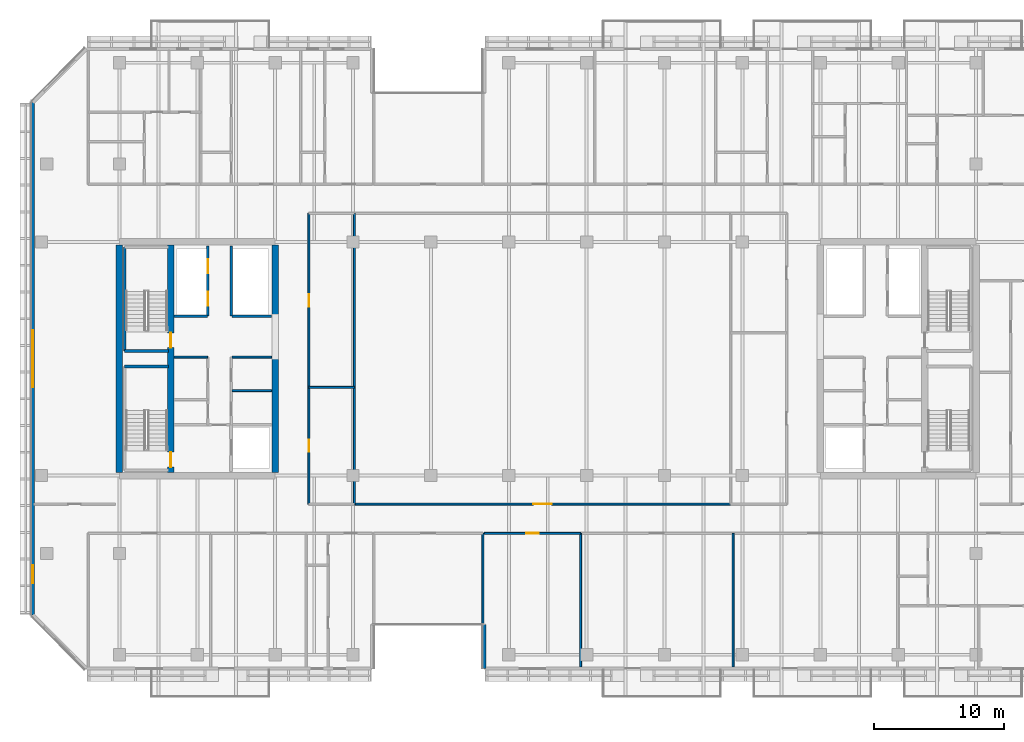
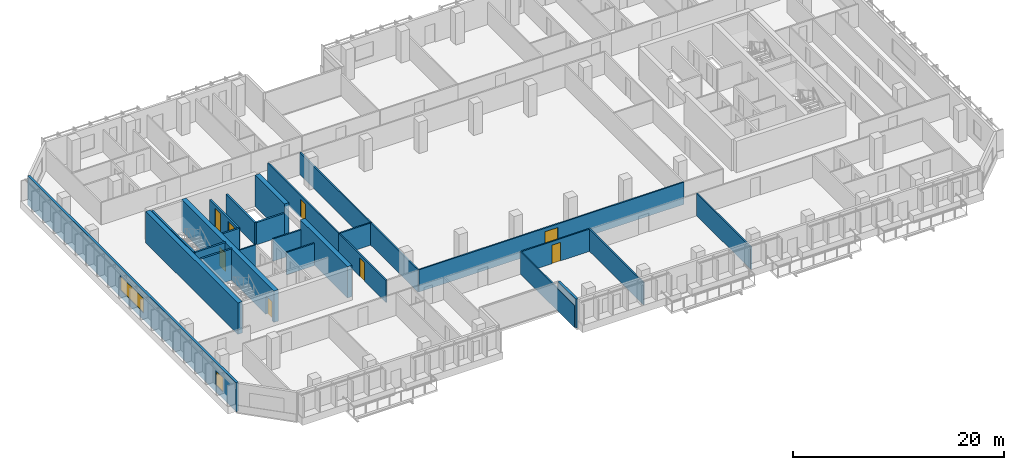
# One storey, part 11 of 23: 25 walls, 8 doors, 2 windows, 10 openings.
"""IFC4 building model written with IfcOpenShell, lengths in metres."""

from ifc_helpers import new_model, si_unit, direction, frame, frame_2d, origin, place, context, subcontext, project, spatial, rectangle, extrude, material, layer, layer_set, type_object, element, fill, save


model = new_model("IFC4")

# Units and contexts
model_context = context("Model", 3, precision=1e-05, world=origin(), true_north=direction((0.0, 1.0)))
body_context = subcontext(model_context, "Body", "Model", "MODEL_VIEW")
ifc_project = project(units=[si_unit("LENGTHUNIT", "METRE"), si_unit("AREAUNIT", "SQUARE_METRE"), si_unit("VOLUMEUNIT", "CUBIC_METRE"), si_unit("PLANEANGLEUNIT", "RADIAN"), si_unit("MASSUNIT", "GRAM", prefix="KILO")], contexts=[model_context])

# Site, building, storey
site_placement = place(None, origin())
site = spatial("IfcSite", under=ifc_project, at=site_placement, CompositionType="ELEMENT")
building_placement = place(site_placement, origin())
building = spatial("IfcBuilding", under=site, at=building_placement, Name="Tanjung Sevakor Pilgrim Tower", CompositionType="ELEMENT")
storey_placement = place(building_placement, frame((0.0, 0.0, 119.4599609375)))
storey = spatial("IfcBuildingStorey", under=building, at=storey_placement, Name="L33", CompositionType="ELEMENT", Elevation=119.4599609375)

# Walls
ifc_material_1 = material(Name="Concrete C60/75", Category="concrete")
ifc_layer_1 = layer(ifc_material_1, 0.5)
ifc_layer_set_1 = layer_set([ifc_layer_1], Name="WALL-CW-500")
wall_type_1 = type_object("IfcWallType", Name="WALL-CW-500", PredefinedType="SHEAR", material=ifc_layer_set_1)
wall_1_placement = place(storey_placement, frame((24.0, 24.85009765625, 0.0), z_axis=(0.0, 0.0, 1.0), x_axis=(0.0, 1.0, 0.0)))
element("IfcWall", 1, at=wall_1_placement, inside=storey, type_object=wall_type_1, Name="L33 W Core Outer Shear Wall", PredefinedType="SHEAR", context=body_context, shape_type="SweptSolid", body=[
    extrude(rectangle(XDim=17.5, YDim=0.5, at=frame_2d((8.75, 0.0))), origin(), (0.0, 0.0, 1.0), 3.630126953125),
])
wall_2_placement = place(storey_placement, frame((36.0, 24.85009765625, 0.0), z_axis=(0.0, 0.0, 1.0), x_axis=(0.0, 1.0, 0.0)))
element("IfcWall", 2, at=wall_2_placement, inside=storey, type_object=wall_type_1, Name="L33 W Core Inner Shear Wall South", PredefinedType="SHEAR", context=body_context, shape_type="SweptSolid", body=[
    extrude(rectangle(XDim=8.949951171875, YDim=0.5, at=frame_2d((4.47509765625, 0.0))), origin(), (0.0, 0.0, 1.0), 3.630126953125),
])
wall_3_placement = place(storey_placement, frame((36.0, 36.800048828125, 0.0), z_axis=(0.0, 0.0, 1.0), x_axis=(0.0, 1.0, 0.0)))
element("IfcWall", 3, at=wall_3_placement, inside=storey, type_object=wall_type_1, Name="L33 W Core Inner Shear Wall North", PredefinedType="SHEAR", context=body_context, shape_type="SweptSolid", body=[
    extrude(rectangle(XDim=5.550048828125, YDim=0.5, at=frame_2d((2.77490234375, 0.0))), origin(), (0.0, 0.0, 1.0), 3.630126953125),
])

# Wall, openings, doors
wall_4_placement = place(storey_placement, frame((27.949951171875, 24.85009765625, 0.0), z_axis=(0.0, 0.0, 1.0), x_axis=(0.0, 1.0, 0.0)))
wall_4 = element("IfcWall", 4, at=wall_4_placement, inside=storey, type_object=wall_type_1, Name="L33 W Core Stair Spine Wall", PredefinedType="SHEAR", context=body_context, shape_type="SweptSolid", body=[
    extrude(rectangle(XDim=17.5, YDim=0.5, at=frame_2d((8.75, 0.0))), origin(), (0.0, 0.0, 1.0), 3.630126953125),
])
opening_1_placement = place(wall_4_placement, frame((0.39990234375, 0.0, 0.0)))
opening_1 = element("IfcOpeningElement", 5, at=opening_1_placement, cuts=wall_4, Name="Opening ID-ST1", PredefinedType="OPENING", context=body_context, shape_type="SweptSolid", body=[
    extrude(rectangle(XDim=1.14990234375, YDim=2.14990234375, at=frame_2d((0.574951171875, 1.074951171875))), frame((0.0, 0.260009765625, 0.0), z_axis=(0.0, -1.0, 0.0), x_axis=(1.0, 0.0, 0.0)), (0.0, 0.0, 1.0), 0.52001953125),
])
opening_2_placement = place(wall_4_placement, frame((9.60009765625, 0.0, 0.0)))
opening_2 = element("IfcOpeningElement", 6, at=opening_2_placement, cuts=wall_4, Name="Opening ID-ST1", PredefinedType="OPENING", context=body_context, shape_type="SweptSolid", body=[
    extrude(rectangle(XDim=1.14990234375, YDim=2.14990234375, at=frame_2d((0.574951171875, 1.074951171875))), frame((0.0, 0.260009765625, 0.0), z_axis=(0.0, -1.0, 0.0), x_axis=(1.0, 0.0, 0.0)), (0.0, 0.0, 1.0), 0.52001953125),
])
ifc_material_2 = material(Name="Fire-Rated Steel S355J2", Category="steel")
door_type_1 = type_object("IfcDoorType", Name="DT-FIRE-1150", OperationType="NOTDEFINED", PredefinedType="DOOR", material=ifc_material_2)
door_1_placement = place(opening_1_placement, origin())
door_1 = element("IfcDoor", 7, at=door_1_placement, inside=storey, type_object=door_type_1, Name="L33 TS-W1 Stair Fire Door", OperationType="SINGLE_SWING_RIGHT", OverallHeight=2.14990234375, OverallWidth=1.14990234375, PredefinedType="DOOR", context=body_context, shape_type="SweptSolid", body=[
    extrude(rectangle(XDim=1.14990234375, YDim=2.14990234375, at=frame_2d((0.574951171875, 1.074951171875))), frame((0.0, 0.02490234375, 0.0), z_axis=(0.0, -1.0, 0.0), x_axis=(1.0, 0.0, 0.0)), (0.0, 0.0, 1.0), 0.050048828125),
])
fill(opening_1, door_1)
door_2_placement = place(opening_2_placement, origin())
door_2 = element("IfcDoor", 8, at=door_2_placement, inside=storey, type_object=door_type_1, Name="L33 TS-W2 Stair Fire Door", OperationType="SINGLE_SWING_LEFT", OverallHeight=2.14990234375, OverallWidth=1.14990234375, PredefinedType="DOOR", context=body_context, shape_type="SweptSolid", body=[
    extrude(rectangle(XDim=1.14990234375, YDim=2.14990234375, at=frame_2d((0.574951171875, 1.074951171875))), frame((0.0, 0.02490234375, 0.0), z_axis=(0.0, -1.0, 0.0), x_axis=(1.0, 0.0, 0.0)), (0.0, 0.0, 1.0), 0.050048828125),
])
fill(opening_2, door_2)

# Walls
ifc_material_3 = material(Name="Concrete C40/50", Category="concrete")
ifc_layer_2 = layer(ifc_material_3, 0.14990234375)
ifc_layer_set_2 = layer_set([ifc_layer_2], Name="WT-COMP-150")
wall_type_2 = type_object("IfcWallType", Name="WT-COMP-150", PredefinedType="SOLIDWALL", material=ifc_layer_set_2)
wall_5_placement = place(storey_placement, frame((28.219970703125, 33.719970703125, 0.0), z_axis=(0.0, 0.0, 1.0), x_axis=(1.0, 0.0, 0.0)))
element("IfcWall", 9, at=wall_5_placement, inside=storey, type_object=wall_type_2, Name="L33 Partition IW-L33-004", PredefinedType="SOLIDWALL", context=body_context, shape_type="SweptSolid", body=[
    extrude(rectangle(XDim=2.580078125, YDim=0.14990234375, at=frame_2d((1.2900390625, 0.0))), origin(), (0.0, 0.0, 1.0), 2.570068359375),
])
for number, where, z_axis, x_axis, name in (
    (10, (32.679931640625, 31.14990234375, 0.0), (0.0, 0.0, 1.0), (1.0, 0.0, 0.0), "L33 Partition IW-L33-006"),
    (11, (32.679931640625, 33.719970703125, 0.0), (0.0, 0.0, 1.0), (1.0, 0.0, 0.0), "L33 Partition IW-L33-007"),
):
    element("IfcWall", number, at=place(storey_placement, frame(where, z_axis=z_axis, x_axis=x_axis)), inside=storey, type_object=wall_type_2, Name=name, PredefinedType="SOLIDWALL", context=body_context, shape_type="SweptSolid", body=[
        extrude(rectangle(XDim=3.050048828125, YDim=0.14990234375, at=frame_2d((1.52490234375, 0.0))), origin(), (0.0, 0.0, 1.0), 2.570068359375),
    ])
wall_6_placement = place(storey_placement, frame((38.60009765625, 31.39990234375, 0.0), z_axis=(0.0, 0.0, 1.0), x_axis=(1.0, 0.0, 0.0)))
element("IfcWall", 12, at=wall_6_placement, inside=storey, type_object=wall_type_2, Name="L33 Partition IW-L33-026", PredefinedType="SOLIDWALL", context=body_context, shape_type="SweptSolid", body=[
    extrude(rectangle(XDim=3.5, YDim=0.14990234375, at=frame_2d((1.75, 0.0))), origin(), (0.0, 0.0, 1.0), 2.570068359375),
])

# Wall, opening, door
wall_7_placement = place(storey_placement, frame((38.60009765625, 22.39990234375, 0.0), z_axis=(0.0, 0.0, 1.0), x_axis=(0.0, 1.0, 0.0)))
wall_7 = element("IfcWall", 13, at=wall_7_placement, inside=storey, type_object=wall_type_2, Name="L33 Partition IW-L33-027", PredefinedType="SOLIDWALL", context=body_context, shape_type="SweptSolid", body=[
    extrude(rectangle(XDim=9.0, YDim=0.14990234375, at=frame_2d((4.5, 0.0))), origin(), (0.0, 0.0, 1.0), 2.570068359375),
])
opening_3_placement = place(wall_7_placement, frame((4.02490234375, 0.0, 0.0)))
opening_3 = element("IfcOpeningElement", 14, at=opening_3_placement, cuts=wall_7, Name="Opening ID-RM1", PredefinedType="OPENING", context=body_context, shape_type="SweptSolid", body=[
    extrude(rectangle(XDim=0.949951171875, YDim=2.14990234375, at=frame_2d((0.47509765625, 1.074951171875))), frame((0.0, 0.0849609375, 0.0), z_axis=(0.0, -1.0, 0.0), x_axis=(1.0, 0.0, 0.0)), (0.0, 0.0, 1.0), 0.169921875),
])
ifc_material_4 = material(Name="Hardwood Timber", Category="wood")
door_type_2 = type_object("IfcDoorType", Name="DT-INT-950", OperationType="NOTDEFINED", PredefinedType="DOOR", material=ifc_material_4)
door_3_placement = place(opening_3_placement, origin())
door_3 = element("IfcDoor", 15, at=door_3_placement, inside=storey, type_object=door_type_2, Name="L33 Male Ablution Door", OperationType="SINGLE_SWING_LEFT", OverallHeight=2.14990234375, OverallWidth=0.949951171875, PredefinedType="DOOR", context=body_context, shape_type="SweptSolid", body=[
    extrude(rectangle(XDim=0.949951171875, YDim=2.14990234375, at=frame_2d((0.47509765625, 1.074951171875))), frame((0.0, 0.02490234375, 0.0), z_axis=(0.0, -1.0, 0.0), x_axis=(1.0, 0.0, 0.0)), (0.0, 0.0, 1.0), 0.050048828125),
])
fill(opening_3, door_3)

wall_8_placement = place(storey_placement, frame((38.60009765625, 31.39990234375, 0.0), z_axis=(0.0, 0.0, 1.0), x_axis=(0.0, 1.0, 0.0)))
wall_8 = element("IfcWall", 16, at=wall_8_placement, inside=storey, type_object=wall_type_2, Name="L33 Partition IW-L33-029", PredefinedType="SOLIDWALL", context=body_context, shape_type="SweptSolid", body=[
    extrude(rectangle(XDim=13.400146484375, YDim=0.14990234375, at=frame_2d((6.7001953125, 0.0))), origin(), (0.0, 0.0, 1.0), 2.570068359375),
])
opening_4_placement = place(wall_8_placement, frame((6.22509765625, 0.0, 0.0)))
opening_4 = element("IfcOpeningElement", 17, at=opening_4_placement, cuts=wall_8, Name="Opening ID-RM1", PredefinedType="OPENING", context=body_context, shape_type="SweptSolid", body=[
    extrude(rectangle(XDim=0.949951171875, YDim=2.14990234375, at=frame_2d((0.47509765625, 1.074951171875))), frame((0.0, 0.0849609375, 0.0), z_axis=(0.0, -1.0, 0.0), x_axis=(1.0, 0.0, 0.0)), (0.0, 0.0, 1.0), 0.169921875),
])
door_4_placement = place(opening_4_placement, origin())
door_4 = element("IfcDoor", 18, at=door_4_placement, inside=storey, type_object=door_type_2, Name="L33 Male Washroom Door", OperationType="SINGLE_SWING_RIGHT", OverallHeight=2.14990234375, OverallWidth=0.949951171875, PredefinedType="DOOR", context=body_context, shape_type="SweptSolid", body=[
    extrude(rectangle(XDim=0.949951171875, YDim=2.14990234375, at=frame_2d((0.47509765625, 1.074951171875))), frame((0.0, 0.02490234375, 0.0), z_axis=(0.0, -1.0, 0.0), x_axis=(1.0, 0.0, 0.0)), (0.0, 0.0, 1.0), 0.050048828125),
])
fill(opening_4, door_4)

wall_9_placement = place(storey_placement, frame((42.10009765625, 22.39990234375, 0.0), z_axis=(0.0, 0.0, 1.0), x_axis=(1.0, 0.0, 0.0)))
wall_9 = element("IfcWall", 19, at=wall_9_placement, inside=storey, type_object=wall_type_2, Name="L33 Partition IW-L33-030", PredefinedType="SOLIDWALL", context=body_context, shape_type="SweptSolid", body=[
    extrude(rectangle(XDim=29.0, YDim=0.14990234375, at=frame_2d((14.5, 0.0))), origin(), (0.0, 0.0, 1.0), 2.570068359375),
])
opening_5_placement = place(wall_9_placement, frame((13.800048828125, 0.0, 0.0)))
opening_5 = element("IfcOpeningElement", 20, at=opening_5_placement, cuts=wall_9, Name="Opening ID-HD1", PredefinedType="OPENING", context=body_context, shape_type="SweptSolid", body=[
    extrude(rectangle(XDim=1.39990234375, YDim=2.14990234375, at=frame_2d((0.699951171875, 1.074951171875))), frame((0.0, 0.0849609375, 0.0), z_axis=(0.0, -1.0, 0.0), x_axis=(1.0, 0.0, 0.0)), (0.0, 0.0, 1.0), 0.169921875),
])
ifc_material_5 = material(Name="Hardwood Timber", Category="wood")
door_type_3 = type_object("IfcDoorType", Name="DT-INT-1400", OperationType="DOUBLE_DOOR_SINGLE_SWING", PredefinedType="DOOR", material=ifc_material_5)
door_5_placement = place(opening_5_placement, origin())
door_5 = element("IfcDoor", 21, at=door_5_placement, inside=storey, type_object=door_type_3, Name="L33 Sky-Prayer Sanctuary Door", OperationType="SINGLE_SWING_LEFT", OverallHeight=2.14990234375, OverallWidth=1.39990234375, PredefinedType="DOOR", context=body_context, shape_type="SweptSolid", body=[
    extrude(rectangle(XDim=1.39990234375, YDim=2.14990234375, at=frame_2d((0.699951171875, 1.074951171875))), frame((0.0, 0.02490234375, 0.0), z_axis=(0.0, -1.0, 0.0), x_axis=(1.0, 0.0, 0.0)), (0.0, 0.0, 1.0), 0.050048828125),
])
fill(opening_5, door_5)

# Walls
wall_10_placement = place(storey_placement, frame((42.10009765625, 22.39990234375, 0.0), z_axis=(0.0, 0.0, 1.0), x_axis=(0.0, 1.0, 0.0)))
element("IfcWall", 22, at=wall_10_placement, inside=storey, type_object=wall_type_2, Name="L33 Partition IW-L33-032", PredefinedType="SOLIDWALL", context=body_context, shape_type="SweptSolid", body=[
    extrude(rectangle(XDim=22.400146484375, YDim=0.14990234375, at=frame_2d((11.2001953125, 0.0))), origin(), (0.0, 0.0, 1.0), 2.570068359375),
])
for number, where, z_axis, x_axis, name in (
    (23, (52.0, 9.85009765625, 0.0), (0.0, 0.0, 1.0), (0.0, 1.0, 0.0), "L33 Partition IW-L33-049"),
    (24, (59.536376953125, 9.85009765625, 0.0), (0.0, 0.0, 1.0), (0.0, 1.0, 0.0), "L33 Partition IW-L33-062"),
):
    element("IfcWall", number, at=place(storey_placement, frame(where, z_axis=z_axis, x_axis=x_axis)), inside=storey, type_object=wall_type_2, Name=name, PredefinedType="SOLIDWALL", context=body_context, shape_type="SweptSolid", body=[
        extrude(rectangle(XDim=10.2998046875, YDim=0.14990234375, at=frame_2d((5.14990234375, 0.0))), origin(), (0.0, 0.0, 1.0), 2.570068359375),
    ])

# Wall, opening, door
wall_11_placement = place(storey_placement, frame((52.1201171875, 20.14990234375, 0.0), z_axis=(0.0, 0.0, 1.0), x_axis=(1.0, 0.0, 0.0)))
wall_11 = element("IfcWall", 25, at=wall_11_placement, inside=storey, type_object=wall_type_2, Name="L33 Partition IW-L33-063", PredefinedType="SOLIDWALL", context=body_context, shape_type="SweptSolid", body=[
    extrude(rectangle(XDim=7.416259765625, YDim=0.14990234375, at=frame_2d((3.7080078125, 0.0))), origin(), (0.0, 0.0, 1.0), 2.570068359375),
])
opening_6_placement = place(wall_11_placement, frame((3.233154296875, 0.0, 0.0)))
opening_6 = element("IfcOpeningElement", 26, at=opening_6_placement, cuts=wall_11, Name="Opening ID-FD2", PredefinedType="OPENING", context=body_context, shape_type="SweptSolid", body=[
    extrude(rectangle(XDim=0.949951171875, YDim=2.14990234375, at=frame_2d((0.47509765625, 1.074951171875))), frame((0.0, 0.0849609375, 0.0), z_axis=(0.0, -1.0, 0.0), x_axis=(1.0, 0.0, 0.0)), (0.0, 0.0, 1.0), 0.169921875),
])
ifc_material_6 = material(Name="Fire-Rated Timber", Category="wood")
door_type_4 = type_object("IfcDoorType", Name="DT-FIRE-950", OperationType="NOTDEFINED", PredefinedType="DOOR", material=ifc_material_6)
door_6_placement = place(opening_6_placement, origin())
door_6 = element("IfcDoor", 27, at=door_6_placement, inside=storey, type_object=door_type_4, Name="Housekeeping Pantry Door", OperationType="SINGLE_SWING_LEFT", OverallHeight=2.14990234375, OverallWidth=0.949951171875, PredefinedType="DOOR", context=body_context, shape_type="SweptSolid", body=[
    extrude(rectangle(XDim=0.949951171875, YDim=2.14990234375, at=frame_2d((0.47509765625, 1.074951171875))), frame((0.0, 0.02490234375, 0.0), z_axis=(0.0, -1.0, 0.0), x_axis=(1.0, 0.0, 0.0)), (0.0, 0.0, 1.0), 0.050048828125),
])
fill(opening_6, door_6)

# Walls
wall_12_placement = place(storey_placement, frame((71.27880859375, 9.85009765625, 0.0), z_axis=(0.0, 0.0, 1.0), x_axis=(0.0, 1.0, 0.0)))
element("IfcWall", 28, at=wall_12_placement, inside=storey, type_object=wall_type_2, Name="L33 Partition IW-L33-064", PredefinedType="SOLIDWALL", context=body_context, shape_type="SweptSolid", body=[
    extrude(rectangle(XDim=10.2998046875, YDim=0.14990234375, at=frame_2d((5.14990234375, 0.0))), origin(), (0.0, 0.0, 1.0), 2.570068359375),
])
ifc_material_7 = material(Name="Precast concrete C45/55", Category="concrete")
ifc_layer_3 = layer(ifc_material_7, 0.25)
ifc_layer_set_3 = layer_set([ifc_layer_3], Name="WT-EW-STN3")
wall_type_3 = type_object("IfcWallType", Name="WT-EW-STN3", PredefinedType="SOLIDWALL", material=ifc_layer_set_3)
wall_13_placement = place(storey_placement, frame((52.125, 13.125, 0.0), z_axis=(0.0, 0.0, 1.0), x_axis=(0.0, -1.0, 0.0)))
element("IfcWall", 29, at=wall_13_placement, inside=storey, type_object=wall_type_3, Name="L33 MAIN Exterior Wall 4", PredefinedType="SOLIDWALL", context=body_context, shape_type="SweptSolid", body=[
    extrude(rectangle(XDim=3.39990234375, YDim=0.25, at=frame_2d((1.699951171875, 0.0))), origin(), (0.0, 0.0, 1.0), 3.35009765625),
])

# Wall, openings, windows
wall_14_placement = place(storey_placement, frame((17.324951171875, 53.34814453125, 0.0), z_axis=(0.0, 0.0, 1.0), x_axis=(0.0, -1.0, 0.0)))
wall_14 = element("IfcWall", 30, at=wall_14_placement, inside=storey, type_object=wall_type_3, Name="L33 MAIN Exterior Wall 15", PredefinedType="SOLIDWALL", context=body_context, shape_type="SweptSolid", body=[
    extrude(rectangle(XDim=39.496337890625, YDim=0.25, at=frame_2d((19.748046875, 0.0))), origin(), (0.0, 0.0, 1.0), 3.35009765625),
])
opening_7_placement = place(wall_14_placement, frame((17.548095703125, 0.0, 0.780029296875)))
opening_7 = element("IfcOpeningElement", 31, at=opening_7_placement, cuts=wall_14, Name="Opening WN-ENDW-1660", PredefinedType="OPENING", context=body_context, shape_type="SweptSolid", body=[
    extrude(rectangle(XDim=4.39990234375, YDim=1.659912109375, at=frame_2d((2.199951171875, 0.830078125))), frame((0.0, 0.135009765625, 0.0), z_axis=(0.0, -1.0, 0.0), x_axis=(1.0, 0.0, 0.0)), (0.0, 0.0, 1.0), 0.27001953125),
])
opening_8_placement = place(wall_14_placement, frame((35.642333984375, 0.0, 0.780029296875)))
opening_8 = element("IfcOpeningElement", 32, at=opening_8_placement, cuts=wall_14, Name="Opening WN-END", PredefinedType="OPENING", context=body_context, shape_type="SweptSolid", body=[
    extrude(rectangle(XDim=1.39990234375, YDim=1.64990234375, at=frame_2d((0.699951171875, 0.824951171875))), frame((0.0, 0.135009765625, 0.0), z_axis=(0.0, -1.0, 0.0), x_axis=(1.0, 0.0, 0.0)), (0.0, 0.0, 1.0), 0.27001953125),
])
ifc_material_8 = material(Name="Thermally Broken Aluminium and Low-E Glass", Category="aluminium")
window_type_1 = type_object("IfcWindowType", Name="WTYP-WN-END", PartitioningType="SINGLE_PANEL", PredefinedType="WINDOW", material=ifc_material_8)
window_1_placement = place(opening_8_placement, origin())
window_1 = element("IfcWindow", 33, at=window_1_placement, inside=storey, type_object=window_type_1, Name="L33 Facade Window 02", OverallHeight=1.64990234375, OverallWidth=1.39990234375, PartitioningType="SINGLE_PANEL", PredefinedType="WINDOW", context=body_context, shape_type="SweptSolid", body=[
    extrude(rectangle(XDim=1.39990234375, YDim=1.64990234375, at=frame_2d((0.699951171875, 0.824951171875))), frame((0.0, 0.030029296875, 0.0), z_axis=(0.0, -1.0, 0.0), x_axis=(1.0, 0.0, 0.0)), (0.0, 0.0, 1.0), 0.06005859375),
])
fill(opening_8, window_1)
ifc_material_9 = material(Name="Thermally Broken Aluminium and Low-E Glass", Category="aluminium")
window_type_2 = type_object("IfcWindowType", Name="WTYP-WN-ENDW-1660", PartitioningType="DOUBLE_PANEL_VERTICAL", PredefinedType="WINDOW", material=ifc_material_9)
window_2_placement = place(opening_7_placement, origin())
window_2 = element("IfcWindow", 34, at=window_2_placement, inside=storey, type_object=window_type_2, Name="L33 Facade Window 01", OverallHeight=1.659912109375, OverallWidth=4.39990234375, PartitioningType="SINGLE_PANEL", PredefinedType="WINDOW", context=body_context, shape_type="SweptSolid", body=[
    extrude(rectangle(XDim=4.39990234375, YDim=1.659912109375, at=frame_2d((2.199951171875, 0.830078125))), frame((0.0, 0.030029296875, 0.0), z_axis=(0.0, -1.0, 0.0), x_axis=(1.0, 0.0, 0.0)), (0.0, 0.0, 1.0), 0.06005859375),
])
fill(opening_7, window_2)

# Walls
ifc_material_10 = material(Name="Concrete C40/50", Category="concrete")
ifc_layer_4 = layer(ifc_material_10, 0.199951171875)
ifc_layer_set_4 = layer_set([ifc_layer_4], Name="WT-FIRE-200")
wall_type_4 = type_object("IfcWallType", Name="WT-FIRE-200", PredefinedType="SOLIDWALL", material=ifc_layer_set_4)
for number, where, z_axis, x_axis, name in (
    (35, (27.800048828125, 33.0, 0.0), (0.0, 0.0, 1.0), (-1.0, 0.0, 0.0), "L33 TS-W1 Shaft Wall 2"),
    (36, (24.39990234375, 34.199951171875, 0.0), (0.0, 0.0, 1.0), (1.0, 0.0, 0.0), "L33 TS-W2 Shaft Wall 1"),
):
    element("IfcWall", number, at=place(storey_placement, frame(where, z_axis=z_axis, x_axis=x_axis)), inside=storey, type_object=wall_type_4, Name=name, PredefinedType="SOLIDWALL", context=body_context, shape_type="SweptSolid", body=[
        extrude(rectangle(XDim=3.400146484375, YDim=0.199951171875, at=frame_2d((1.7001953125, 0.0))), origin(), (0.0, 0.0, 1.0), 3.630126953125),
    ])
wall_15_placement = place(storey_placement, frame((24.39990234375, 42.199951171875, 0.0), z_axis=(0.0, 0.0, 1.0), x_axis=(0.0, -1.0, 0.0)))
element("IfcWall", 37, at=wall_15_placement, inside=storey, type_object=wall_type_4, Name="L33 TS-W2 Shaft Wall 3", PredefinedType="SOLIDWALL", context=body_context, shape_type="SweptSolid", body=[
    extrude(rectangle(XDim=8.0, YDim=0.199951171875, at=frame_2d((4.0, 0.0))), origin(), (0.0, 0.0, 1.0), 3.630126953125),
])
ifc_material_11 = material(Name="Concrete C40/50", Category="concrete")
ifc_layer_5 = layer(ifc_material_11, 0.199951171875)
ifc_layer_set_5 = layer_set([ifc_layer_5], Name="WT-FPRT-200")
wall_type_5 = type_object("IfcWallType", Name="WT-FPRT-200", PredefinedType="SOLIDWALL", material=ifc_layer_set_5)
wall_16_placement = place(storey_placement, frame((28.219970703125, 36.8798828125, 0.0), z_axis=(0.0, 0.0, 1.0), x_axis=(1.0, 0.0, 0.0)))
element("IfcWall", 38, at=wall_16_placement, inside=storey, type_object=wall_type_5, Name="L33 Partition IW-L33-009", PredefinedType="SOLIDWALL", context=body_context, shape_type="SweptSolid", body=[
    extrude(rectangle(XDim=2.580078125, YDim=0.199951171875, at=frame_2d((1.2900390625, 0.0))), origin(), (0.0, 0.0, 1.0), 2.570068359375),
])

# Wall, openings, doors
wall_17_placement = place(storey_placement, frame((30.820068359375, 36.8798828125, 0.0), z_axis=(0.0, 0.0, 1.0), x_axis=(0.0, 1.0, 0.0)))
wall_17 = element("IfcWall", 39, at=wall_17_placement, inside=storey, type_object=wall_type_5, Name="L33 Partition IW-L33-010", PredefinedType="SOLIDWALL", context=body_context, shape_type="SweptSolid", body=[
    extrude(rectangle(XDim=5.420166015625, YDim=0.199951171875, at=frame_2d((2.7099609375, 0.0))), origin(), (0.0, 0.0, 1.0), 2.570068359375),
])
opening_9_placement = place(wall_17_placement, frame((0.800048828125, 0.0, 0.0)))
opening_9 = element("IfcOpeningElement", 40, at=opening_9_placement, cuts=wall_17, Name="Opening LD-1100", PredefinedType="OPENING", context=body_context, shape_type="SweptSolid", body=[
    extrude(rectangle(XDim=1.10009765625, YDim=2.199951171875, at=frame_2d((0.550048828125, 1.10009765625))), frame((0.0, 0.10986328125, 0.0), z_axis=(0.0, -1.0, 0.0), x_axis=(1.0, 0.0, 0.0)), (0.0, 0.0, 1.0), 0.219970703125),
])
opening_10_placement = place(wall_17_placement, frame((3.300048828125, 0.0, 0.0)))
opening_10 = element("IfcOpeningElement", 41, at=opening_10_placement, cuts=wall_17, Name="Opening LD-1100", PredefinedType="OPENING", context=body_context, shape_type="SweptSolid", body=[
    extrude(rectangle(XDim=1.10009765625, YDim=2.199951171875, at=frame_2d((0.550048828125, 1.10009765625))), frame((0.0, 0.10986328125, 0.0), z_axis=(0.0, -1.0, 0.0), x_axis=(1.0, 0.0, 0.0)), (0.0, 0.0, 1.0), 0.219970703125),
])
ifc_material_12 = material(Name="Brushed Stainless Steel S355J2", Category="steel")
door_type_5 = type_object("IfcDoorType", Name="DT-LIFT-1100", OperationType="SLIDING_TO_LEFT", PredefinedType="DOOR", material=ifc_material_12)
door_7_placement = place(opening_9_placement, origin())
door_7 = element("IfcDoor", 42, at=door_7_placement, inside=storey, type_object=door_type_5, Name="LD-PLM1-W", OperationType="SLIDING_TO_LEFT", OverallHeight=2.199951171875, OverallWidth=1.10009765625, PredefinedType="DOOR", context=body_context, shape_type="SweptSolid", body=[
    extrude(rectangle(XDim=1.10009765625, YDim=2.199951171875, at=frame_2d((0.550048828125, 1.10009765625))), frame((0.0, 0.02490234375, 0.0), z_axis=(0.0, -1.0, 0.0), x_axis=(1.0, 0.0, 0.0)), (0.0, 0.0, 1.0), 0.050048828125),
])
fill(opening_9, door_7)
door_8_placement = place(opening_10_placement, origin())
door_8 = element("IfcDoor", 43, at=door_8_placement, inside=storey, type_object=door_type_5, Name="LD-PLM2-W", OperationType="SLIDING_TO_RIGHT", OverallHeight=2.199951171875, OverallWidth=1.10009765625, PredefinedType="DOOR", context=body_context, shape_type="SweptSolid", body=[
    extrude(rectangle(XDim=1.10009765625, YDim=2.199951171875, at=frame_2d((0.550048828125, 1.10009765625))), frame((0.0, 0.02490234375, 0.0), z_axis=(0.0, -1.0, 0.0), x_axis=(1.0, 0.0, 0.0)), (0.0, 0.0, 1.0), 0.050048828125),
])
fill(opening_10, door_8)

# Walls
wall_18_placement = place(storey_placement, frame((32.679931640625, 36.8798828125, 0.0), z_axis=(0.0, 0.0, 1.0), x_axis=(1.0, 0.0, 0.0)))
element("IfcWall", 44, at=wall_18_placement, inside=storey, type_object=wall_type_5, Name="L33 Partition IW-L33-011", PredefinedType="SOLIDWALL", context=body_context, shape_type="SweptSolid", body=[
    extrude(rectangle(XDim=3.050048828125, YDim=0.199951171875, at=frame_2d((1.52490234375, 0.0))), origin(), (0.0, 0.0, 1.0), 2.570068359375),
])
wall_19_placement = place(storey_placement, frame((32.6201171875, 36.8798828125, 0.0), z_axis=(0.0, 0.0, 1.0), x_axis=(0.0, 1.0, 0.0)))
element("IfcWall", 45, at=wall_19_placement, inside=storey, type_object=wall_type_5, Name="L33 Partition IW-L33-012", PredefinedType="SOLIDWALL", context=body_context, shape_type="SweptSolid", body=[
    extrude(rectangle(XDim=5.420166015625, YDim=0.199951171875, at=frame_2d((2.7099609375, 0.0))), origin(), (0.0, 0.0, 1.0), 2.570068359375),
])

save(model, "model.ifc")
